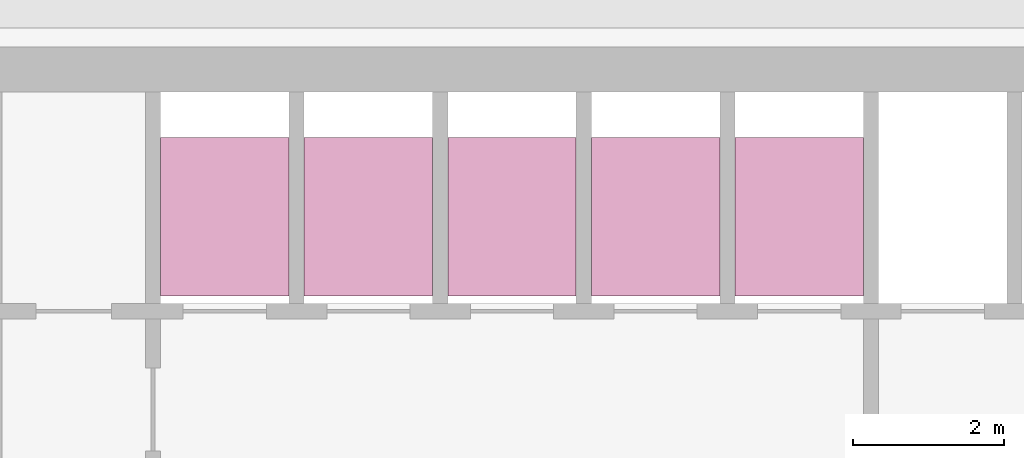
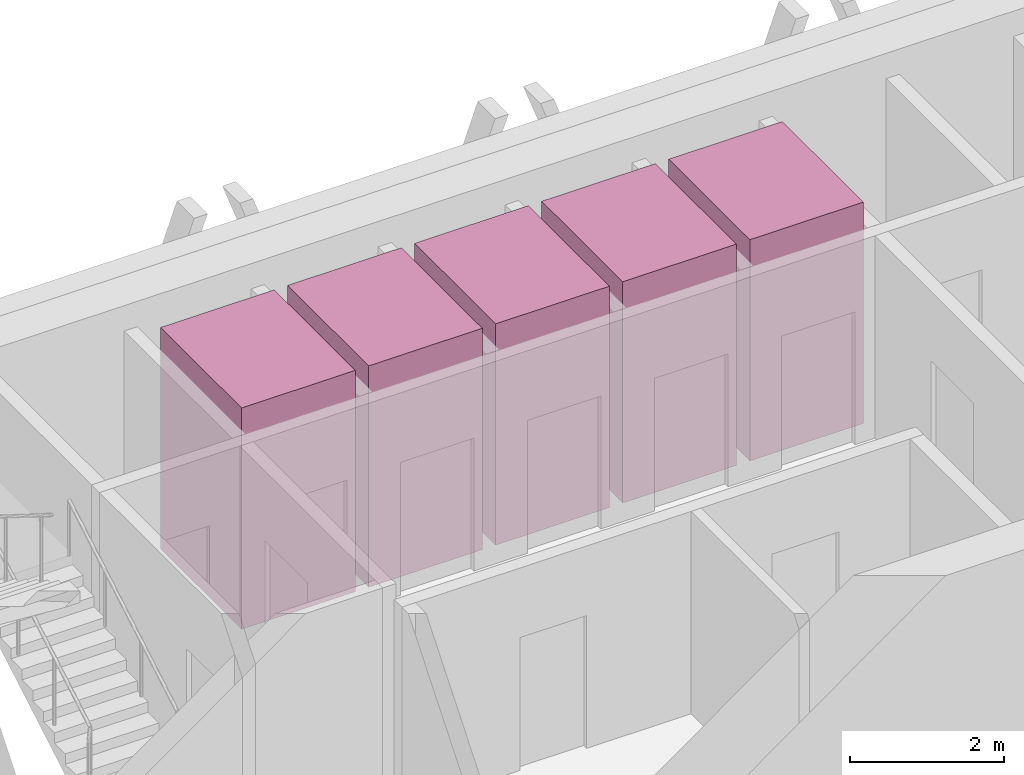
# One storey, part 15 of 15: 5 transport elements.
"""IFC4 building model written with IfcOpenShell, lengths in metres."""

from ifc_helpers import new_model, si_unit, direction, frame, origin, origin_2d, place, context, subcontext, project, spatial, rectangle, extrude, material, type_object, element, save


model = new_model("IFC4")

# Units and contexts
model_context = context("Model", 3, precision=1e-05, world=origin(), true_north=direction((0.0, 1.0)))
body_context = subcontext(model_context, "Body", "Model", "MODEL_VIEW")
ifc_project = project(units=[si_unit("LENGTHUNIT", "METRE"), si_unit("AREAUNIT", "SQUARE_METRE"), si_unit("VOLUMEUNIT", "CUBIC_METRE"), si_unit("PLANEANGLEUNIT", "RADIAN"), si_unit("MASSUNIT", "GRAM", prefix="KILO")], contexts=[model_context])

# Site, building, storey
site_placement = place(None, origin())
site = spatial("IfcSite", under=ifc_project, at=site_placement, CompositionType="ELEMENT")
building_placement = place(site_placement, origin())
building = spatial("IfcBuilding", under=site, at=building_placement, Name="Altiplano Prism Tower", CompositionType="ELEMENT")
storey_placement = place(building_placement, frame((0.0, 0.0, 246.39990234375)))
storey = spatial("IfcBuildingStorey", under=building, at=storey_placement, Name="L63", CompositionType="ELEMENT", Elevation=246.39990234375)

# Transport elements
ifc_material = material(Name="Stainless steel lift car", Category="steel")
transport_element_type = type_object("IfcTransportElementType", Name="Passenger lift car 1600 x 2100", PredefinedType="ELEVATOR", material=ifc_material)
for number, where, z_axis, x_axis, name in (
    (1, (79.050048828125, 101.75, 0.050048828125), (0.0, 0.0, 1.0), (1.0, 0.0, 0.0), "High Zone Passenger Lift 1"),
    (2, (80.949951171875, 101.75, 0.050048828125), (0.0, 0.0, 1.0), (1.0, 0.0, 0.0), "High Zone Passenger Lift 2"),
    (3, (82.85009765625, 101.75, 0.050048828125), (0.0, 0.0, 1.0), (1.0, 0.0, 0.0), "High Zone Passenger Lift 3"),
    (4, (84.75, 101.75, 0.050048828125), (0.0, 0.0, 1.0), (1.0, 0.0, 0.0), "High Zone Passenger Lift 4"),
    (5, (86.64990234375, 101.75, 0.050048828125), (0.0, 0.0, 1.0), (1.0, 0.0, 0.0), "High Zone Passenger Lift 5"),
):
    element("IfcTransportElement", number, at=place(storey_placement, frame(where, z_axis=z_axis, x_axis=x_axis)), inside=storey, type_object=transport_element_type, Name=name, PredefinedType="ELEVATOR", context=body_context, shape_type="SweptSolid", body=[
        extrude(rectangle(XDim=1.699951171875, YDim=2.10009765625, at=origin_2d()), origin(), (0.0, 0.0, 1.0), 3.5),
    ])

save(model, "model.ifc")
